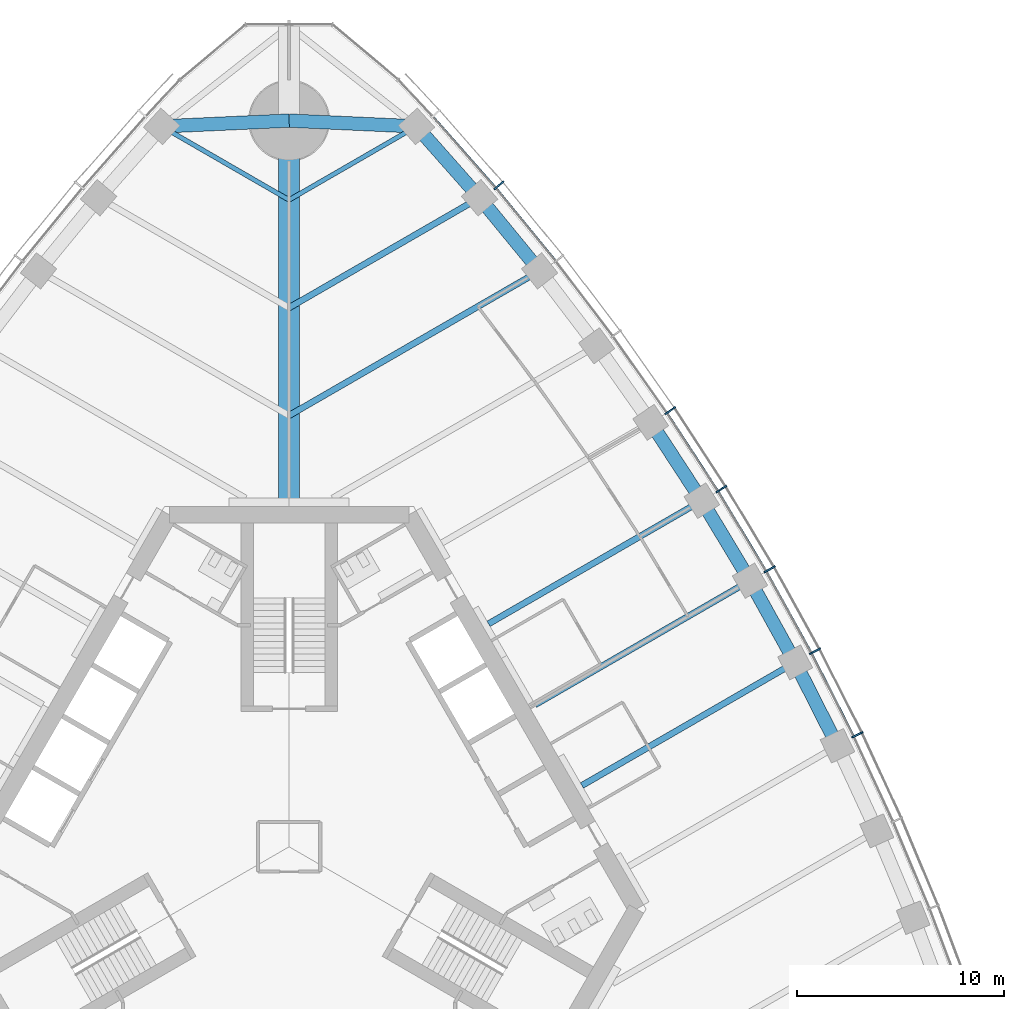
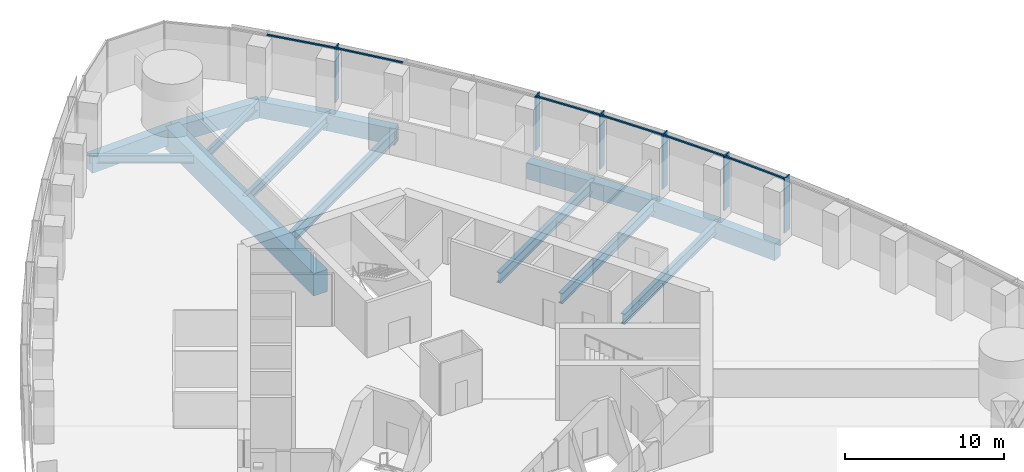
# One storey, part 6 of 19: 16 beams, 12 members, 1 element without a shape of its own.
"""IFC4 building model written with IfcOpenShell, lengths in metres."""

from ifc_helpers import new_model, si_unit, direction, frame, origin, origin_2d, place, context, subcontext, project, spatial, rectangle, i_section, extrude, material, material_profile, profile_set, type_object, element, aggregate, save


model = new_model("IFC4")

# Units and contexts
model_context = context("Model", 3, precision=1e-05, world=origin(), true_north=direction((0.0, 1.0)))
body_context = subcontext(model_context, "Body", "Model", "MODEL_VIEW")
ifc_project = project(units=[si_unit("LENGTHUNIT", "METRE"), si_unit("AREAUNIT", "SQUARE_METRE"), si_unit("VOLUMEUNIT", "CUBIC_METRE"), si_unit("PLANEANGLEUNIT", "RADIAN"), si_unit("MASSUNIT", "GRAM", prefix="KILO")], contexts=[model_context])

# Site, building, storey
site_placement = place(None, origin())
site = spatial("IfcSite", under=ifc_project, at=site_placement, CompositionType="ELEMENT")
building_placement = place(site_placement, origin())
building = spatial("IfcBuilding", under=site, at=building_placement, Name="Trefoil Bronze Tower", CompositionType="ELEMENT")
storey_placement = place(building_placement, frame((0.0, 0.0, 140.89990234375)))
storey = spatial("IfcBuildingStorey", under=building, at=storey_placement, Name="L32", CompositionType="ELEMENT", Elevation=140.89990234375)

# Curtain wall, members
ifc_material_1 = material(Name="Tinted solar-control glass", Category="glass")
curtain_wall_type = type_object("IfcCurtainWallType", Name="Bronze office curtain wall", PredefinedType="USERDEFINED", material=ifc_material_1)
curtain_wall_placement = place(storey_placement, origin())
curtain_wall = element("IfcCurtainWall", 1, at=curtain_wall_placement, inside=storey, type_object=curtain_wall_type, Name="CW-A L32 F2", ObjectType="CURTAIN WALL", PredefinedType="USERDEFINED")
ifc_material_2 = material(Name="Bronze-finish aluminium", Category="aluminium")
ifc_material_profile_1 = material_profile(ifc_material_2, rectangle(XDim=0.60009765625, YDim=0.080078125, at=origin_2d()), Name="CW-A mullion")
ifc_profile_set_1 = profile_set([ifc_material_profile_1], Name="Bronze-finish aluminium")
member_type_1 = type_object("IfcMemberType", Name="Bronze office curtain wall mullion", PredefinedType="MULLION", material=ifc_profile_set_1)
member_1_placement = place(storey_placement, frame((27.394775390625, 5.399169921875, 0.0), z_axis=(0.0, 0.0, 1.0), x_axis=(-0.899819602033, -0.436262173236, 0.0)))
member_1 = element("IfcMember", 2, at=member_1_placement, type_object=member_type_1, Name="CW-A L32 F2 mullion 6", PredefinedType="MULLION", context=body_context, shape_type="SweptSolid", body=[
    extrude(rectangle(XDim=0.60009765625, YDim=0.080078125, at=origin_2d()), origin(), (0.0, 0.0, 1.0), 4.18017578125),
])
member_2_placement = place(storey_placement, frame((25.350830078125, 9.427734375, 0.0), z_axis=(0.0, 0.0, 1.0), x_axis=(-0.883486441467, -0.468456729853, 0.0)))
member_2 = element("IfcMember", 3, at=member_2_placement, type_object=member_type_1, Name="CW-A L32 F2 mullion 7", PredefinedType="MULLION", context=body_context, shape_type="SweptSolid", body=[
    extrude(rectangle(XDim=0.60009765625, YDim=0.080078125, at=origin_2d()), origin(), (0.0, 0.0, 1.0), 4.18017578125),
])
member_3_placement = place(storey_placement, frame((23.166015625, 13.374755859375, 0.0), z_axis=(0.0, 0.0, 1.0), x_axis=(-0.866025403784, -0.5, 0.0)))
member_3 = element("IfcMember", 4, at=member_3_placement, type_object=member_type_1, Name="CW-A L32 F2 mullion 8", PredefinedType="MULLION", context=body_context, shape_type="SweptSolid", body=[
    extrude(rectangle(XDim=0.60009765625, YDim=0.080078125, at=origin_2d()), origin(), (0.0, 0.0, 1.0), 4.18017578125),
])
member_4_placement = place(storey_placement, frame((20.840087890625, 17.24072265625, 0.0), z_axis=(0.0, 0.0, 1.0), x_axis=(-0.84743864936, -0.530893337283, 0.0)))
member_4 = element("IfcMember", 5, at=member_4_placement, type_object=member_type_1, Name="CW-A L32 F2 mullion 9", PredefinedType="MULLION", context=body_context, shape_type="SweptSolid", body=[
    extrude(rectangle(XDim=0.60009765625, YDim=0.080078125, at=origin_2d()), origin(), (0.0, 0.0, 1.0), 4.18017578125),
])
member_5_placement = place(storey_placement, frame((18.373046875, 21.025146484375, 0.0), z_axis=(0.0, 0.0, 1.0), x_axis=(-0.827723925749, -0.561135547566, 0.0)))
member_5 = element("IfcMember", 6, at=member_5_placement, type_object=member_type_1, Name="CW-A L32 F2 mullion 10", PredefinedType="MULLION", context=body_context, shape_type="SweptSolid", body=[
    extrude(rectangle(XDim=0.60009765625, YDim=0.080078125, at=origin_2d()), origin(), (0.0, 0.0, 1.0), 4.18017578125),
])
member_6_placement = place(storey_placement, frame((10.11474609375, 31.8828125, 0.0), z_axis=(0.0, 0.0, 1.0), x_axis=(-0.761721651066, -0.647904411389, 0.0)))
member_6 = element("IfcMember", 7, at=member_6_placement, type_object=member_type_1, Name="CW-A L32 F2 mullion 13", PredefinedType="MULLION", context=body_context, shape_type="SweptSolid", body=[
    extrude(rectangle(XDim=0.60009765625, YDim=0.080078125, at=origin_2d()), origin(), (0.0, 0.0, 1.0), 4.18017578125),
])
ifc_material_3 = material(Name="Bronze-finish aluminium", Category="aluminium")
ifc_material_profile_2 = material_profile(ifc_material_3, rectangle(XDim=0.1201171875, YDim=0.10009765625, at=origin_2d()), Name="CW-A transom")
ifc_profile_set_2 = profile_set([ifc_material_profile_2], Name="Bronze-finish aluminium")
member_type_2 = type_object("IfcMemberType", Name="Bronze office curtain wall transom", PredefinedType="USERDEFINED", material=ifc_profile_set_2)
member_7_placement = place(storey_placement, frame((27.196044921875, 5.34912109375, 4.130126953125), z_axis=(-0.452478489814, 0.891775317138, 0.0), x_axis=(-0.891775317138, -0.452478489814, 0.0)))
member_7 = element("IfcMember", 8, at=member_7_placement, type_object=member_type_2, Name="CW-A L32 F2 transom 6", ObjectType="TRANSOM", PredefinedType="USERDEFINED", context=body_context, shape_type="SweptSolid", body=[
    extrude(rectangle(XDim=0.1201171875, YDim=0.10009765625, at=origin_2d()), origin(), (0.0, 0.0, 1.0), 4.426513671875),
])
member_8_placement = place(storey_placement, frame((25.154052734375, 9.37060546875, 4.130126953125), z_axis=(-0.484329470343, 0.874885686337, 0.0), x_axis=(-0.874885686337, -0.484329470343, 0.0)))
member_8 = element("IfcMember", 9, at=member_8_placement, type_object=member_type_2, Name="CW-A L32 F2 transom 7", ObjectType="TRANSOM", PredefinedType="USERDEFINED", context=body_context, shape_type="SweptSolid", body=[
    extrude(rectangle(XDim=0.1201171875, YDim=0.10009765625, at=origin_2d()), origin(), (0.0, 0.0, 1.0), 4.4208984375),
])
member_9_placement = place(storey_placement, frame((22.97119140625, 13.310546875, 4.130126953125), z_axis=(-0.515526794174, 0.856873458854, 0.0), x_axis=(-0.856873458854, -0.515526794174, 0.0)))
member_9 = element("IfcMember", 10, at=member_9_placement, type_object=member_type_2, Name="CW-A L32 F2 transom 8", ObjectType="TRANSOM", PredefinedType="USERDEFINED", context=body_context, shape_type="SweptSolid", body=[
    extrude(rectangle(XDim=0.1201171875, YDim=0.10009765625, at=origin_2d()), origin(), (0.0, 0.0, 1.0), 4.4208984375),
])
member_10_placement = place(storey_placement, frame((20.647705078125, 17.16943359375, 4.130126953125), z_axis=(-0.546079336226, 0.837733465099, 0.0), x_axis=(-0.837733465099, -0.546079336226, 0.0)))
member_10 = element("IfcMember", 11, at=member_10_placement, type_object=member_type_2, Name="CW-A L32 F2 transom 9", ObjectType="TRANSOM", PredefinedType="USERDEFINED", context=body_context, shape_type="SweptSolid", body=[
    extrude(rectangle(XDim=0.1201171875, YDim=0.10009765625, at=origin_2d()), origin(), (0.0, 0.0, 1.0), 4.426513671875),
])
member_11_placement = place(storey_placement, frame((12.82861328125, 28.255615234375, 4.130126953125), z_axis=(-0.633848872297, 0.773456919995, 0.0), x_axis=(-0.773456919995, -0.633848872297, 0.0)))
member_11 = element("IfcMember", 12, at=member_11_placement, type_object=member_type_2, Name="CW-A L32 F2 transom 12", ObjectType="TRANSOM", PredefinedType="USERDEFINED", context=body_context, shape_type="SweptSolid", body=[
    extrude(rectangle(XDim=0.1201171875, YDim=0.10009765625, at=origin_2d()), origin(), (0.0, 0.0, 1.0), 4.480224609375),
])
member_12_placement = place(storey_placement, frame((9.9345703125, 31.78466796875, 4.130126953125), z_axis=(-0.66173618877, 0.749736764786, 0.0), x_axis=(-0.749736764786, -0.66173618877, 0.0)))
member_12 = element("IfcMember", 13, at=member_12_placement, type_object=member_type_2, Name="CW-A L32 F2 transom 13", ObjectType="TRANSOM", PredefinedType="USERDEFINED", context=body_context, shape_type="SweptSolid", body=[
    extrude(rectangle(XDim=0.1201171875, YDim=0.10009765625, at=origin_2d()), origin(), (0.0, 0.0, 1.0), 4.510986328125),
])
aggregate(curtain_wall, [member_1, member_2, member_3, member_4, member_5, member_6, member_7, member_8, member_9, member_10, member_11, member_12])

# Beams
ifc_material_4 = material(Name="Concrete B80", Category="concrete")
ifc_material_profile_3 = material_profile(ifc_material_4, rectangle(XDim=1.0, YDim=1.699951171875, at=origin_2d()), Name="RC 1000x1700")
ifc_profile_set_3 = profile_set([ifc_material_profile_3], Name="Concrete B80")
beam_type_1 = type_object("IfcBeamType", Name="Corner girder RC 1000x1700", PredefinedType="BEAM", material=ifc_profile_set_3)
beam_1_placement = place(storey_placement, frame((0.0, 16.39990234375, -1.0498046875), z_axis=(0.0, 1.0, 0.0), x_axis=(-1.0, 0.0, 0.0)))
element("IfcBeam", 14, at=beam_1_placement, inside=storey, type_object=beam_type_1, Name="Corner girder K2 L32", PredefinedType="BEAM", context=body_context, shape_type="SweptSolid", body=[
    extrude(rectangle(XDim=1.0, YDim=1.699951171875, at=origin_2d()), origin(), (0.0, 0.0, 1.0), 18.60009765625),
])
ifc_material_5 = material(Name="Concrete B80", Category="concrete")
ifc_material_profile_4 = material_profile(ifc_material_5, rectangle(XDim=0.64990234375, YDim=1.25, at=origin_2d()), Name="RC 650x1250")
ifc_profile_set_4 = profile_set([ifc_material_profile_4], Name="Concrete B80")
beam_type_2 = type_object("IfcBeamType", Name="End spandrel beam RC 650x1250", PredefinedType="SPANDREL", material=ifc_profile_set_4)
for number, where, z_axis, x_axis, name in (
    (15, (6.13916015625, 34.72119140625, -0.824951171875), (-0.998970341464, 0.045368015985, 0.0), (-0.045368015985, -0.998970341464, 0.0), "Spandrel F2.14 L32"),
    (16, (0.0, 35.0, -0.824951171875), (-0.998970341464, -0.045368015985, 0.0), (0.045368015985, -0.998970341464, 0.0), "Spandrel F3.1 L32"),
):
    element("IfcBeam", number, at=place(storey_placement, frame(where, z_axis=z_axis, x_axis=x_axis)), inside=storey, type_object=beam_type_2, Name=name, PredefinedType="SPANDREL", context=body_context, shape_type="SweptSolid", body=[
        extrude(rectangle(XDim=0.64990234375, YDim=1.25, at=origin_2d()), origin(), (0.0, 0.0, 1.0), 6.1455078125),
    ])
ifc_material_6 = material(Name="Steel C355", Category="steel")
ifc_material_profile_5 = material_profile(ifc_material_6, i_section(OverallWidth=0.300048828125, OverallDepth=0.699951171875, WebThickness=0.01708984375, FlangeThickness=0.031982421875, FilletRadius=0.027099609375, at=origin_2d()), Name="HEB 700")
ifc_profile_set_5 = profile_set([ifc_material_profile_5], Name="Steel C355")
beam_type_3 = type_object("IfcBeamType", Name="Floor beam HEB 700", PredefinedType="BEAM", material=ifc_profile_set_5)
beam_2_placement = place(storey_placement, frame((9.181884765625, 31.281982421875, -0.5498046875), z_axis=(-0.866021079084, -0.500007490527, 0.0), x_axis=(0.500007490527, -0.866021079084, 0.0)))
element("IfcBeam", 17, at=beam_2_placement, inside=storey, type_object=beam_type_3, Name="Floor beam F2/+5 L32", PredefinedType="BEAM", context=body_context, shape_type="SweptSolid", body=[
    extrude(i_section(OverallWidth=0.300048828125, OverallDepth=0.699951171875, WebThickness=0.01708984375, FlangeThickness=0.031982421875, FilletRadius=0.027099609375, at=origin_2d()), origin(), (0.0, 0.0, 1.0), 10.602294921875),
])
ifc_material_7 = material(Name="Steel C355", Category="steel")
ifc_material_profile_6 = material_profile(ifc_material_7, i_section(OverallWidth=0.300048828125, OverallDepth=0.800048828125, WebThickness=0.017578125, FlangeThickness=0.032958984375, FilletRadius=0.030029296875, at=origin_2d()), Name="HEB 800")
ifc_profile_set_6 = profile_set([ifc_material_profile_6], Name="Steel C355")
beam_type_4 = type_object("IfcBeamType", Name="Floor beam HEB 800", PredefinedType="BEAM", material=ifc_profile_set_6)
beam_3_placement = place(storey_placement, frame((24.392578125, 8.886962890625, -0.599853515625), z_axis=(-0.866024236736, -0.500002021381, 0.0), x_axis=(0.500002021381, -0.866024236736, 0.0)))
element("IfcBeam", 18, at=beam_3_placement, inside=storey, type_object=beam_type_4, Name="Floor beam F2/-1 L32", PredefinedType="BEAM", context=body_context, shape_type="SweptSolid", body=[
    extrude(i_section(OverallWidth=0.300048828125, OverallDepth=0.800048828125, WebThickness=0.017578125, FlangeThickness=0.032958984375, FilletRadius=0.030029296875, at=origin_2d()), origin(), (0.0, 0.0, 1.0), 11.8681640625),
])
beam_4_placement = place(storey_placement, frame((22.21337890625, 12.824951171875, -0.599853515625), z_axis=(-0.866028062731, -0.499995394541, 0.0), x_axis=(0.499995394541, -0.866028062731, 0.0)))
element("IfcBeam", 19, at=beam_4_placement, inside=storey, type_object=beam_type_4, Name="Floor beam F2/+0 L32", PredefinedType="BEAM", context=body_context, shape_type="SweptSolid", body=[
    extrude(i_section(OverallWidth=0.300048828125, OverallDepth=0.800048828125, WebThickness=0.017578125, FlangeThickness=0.032958984375, FilletRadius=0.030029296875, at=origin_2d()), origin(), (0.0, 0.0, 1.0), 11.94970703125),
])
beam_5_placement = place(storey_placement, frame((19.892578125, 16.68115234375, -0.599853515625), z_axis=(-0.866024236736, -0.500002021381, 0.0), x_axis=(0.500002021381, -0.866024236736, 0.0)))
element("IfcBeam", 20, at=beam_5_placement, inside=storey, type_object=beam_type_4, Name="Floor beam F2/+1 L32", PredefinedType="BEAM", context=body_context, shape_type="SweptSolid", body=[
    extrude(i_section(OverallWidth=0.300048828125, OverallDepth=0.800048828125, WebThickness=0.017578125, FlangeThickness=0.032958984375, FilletRadius=0.030029296875, at=origin_2d()), origin(), (0.0, 0.0, 1.0), 11.8681640625),
])
ifc_material_8 = material(Name="Steel C355", Category="steel")
ifc_material_profile_7 = material_profile(ifc_material_8, i_section(OverallWidth=0.300048828125, OverallDepth=0.89990234375, WebThickness=0.0185546875, FlangeThickness=0.034912109375, FilletRadius=0.030029296875, at=origin_2d()), Name="HEB 900")
ifc_profile_set_7 = profile_set([ifc_material_profile_7], Name="Steel C355")
beam_type_5 = type_object("IfcBeamType", Name="Floor beam HEB 900", PredefinedType="BEAM", material=ifc_profile_set_7)
beam_6_placement = place(storey_placement, frame((12.07666015625, 27.757080078125, -0.64990234375), z_axis=(-0.866026983775, -0.499997263366, 0.0), x_axis=(0.499997263366, -0.866026983775, 0.0)))
element("IfcBeam", 21, at=beam_6_placement, inside=storey, type_object=beam_type_5, Name="Floor beam F2/+4 L32", PredefinedType="BEAM", context=body_context, shape_type="SweptSolid", body=[
    extrude(i_section(OverallWidth=0.300048828125, OverallDepth=0.89990234375, WebThickness=0.0185546875, FlangeThickness=0.034912109375, FilletRadius=0.030029296875, at=origin_2d()), origin(), (0.0, 0.0, 1.0), 13.94482421875),
])
ifc_material_9 = material(Name="Steel C355", Category="steel")
ifc_material_profile_8 = material_profile(ifc_material_9, i_section(OverallWidth=0.219970703125, OverallDepth=0.60009765625, WebThickness=0.011962890625, FlangeThickness=0.01904296875, FilletRadius=0.02392578125, at=origin_2d()), Name="IPE 600")
ifc_profile_set_8 = profile_set([ifc_material_profile_8], Name="Steel C355")
beam_type_6 = type_object("IfcBeamType", Name="Floor beam IPE 600", PredefinedType="BEAM", material=ifc_profile_set_8)
for number, where, z_axis, x_axis, name in (
    (22, (6.13916015625, 34.72119140625, -0.5), (-0.866041060244, -0.499972881236, 0.0), (0.499972881236, -0.866041060244, 0.0), "Floor beam F2/+6 L32"),
    (23, (-6.13916015625, 34.72119140625, -0.5), (0.866041060244, -0.499972881236, 0.0), (0.499972881236, 0.866041060244, 0.0), "Floor beam F3/-6 L32"),
):
    element("IfcBeam", number, at=place(storey_placement, frame(where, z_axis=z_axis, x_axis=x_axis)), inside=storey, type_object=beam_type_6, Name=name, PredefinedType="BEAM", context=body_context, shape_type="SweptSolid", body=[
        extrude(i_section(OverallWidth=0.219970703125, OverallDepth=0.60009765625, WebThickness=0.011962890625, FlangeThickness=0.01904296875, FilletRadius=0.02392578125, at=origin_2d()), origin(), (0.0, 0.0, 1.0), 7.0888671875),
    ])
ifc_material_10 = material(Name="Concrete B80", Category="concrete")
ifc_material_profile_9 = material_profile(ifc_material_10, rectangle(XDim=0.64990234375, YDim=1.25, at=origin_2d()), Name="RC 650x1250")
ifc_profile_set_9 = profile_set([ifc_material_profile_9], Name="Concrete B80")
beam_type_7 = type_object("IfcBeamType", Name="Spandrel beam RC 650x1250", PredefinedType="SPANDREL", material=ifc_profile_set_9)
beam_7_placement = place(storey_placement, frame((26.43017578125, 4.8671875, -0.824951171875), z_axis=(-0.452125717735, 0.891954222683, 0.0), x_axis=(-0.891954222683, -0.452125717735, 0.0)))
element("IfcBeam", 24, at=beam_7_placement, inside=storey, type_object=beam_type_7, Name="Spandrel F2.6 L32", PredefinedType="SPANDREL", context=body_context, shape_type="SweptSolid", body=[
    extrude(rectangle(XDim=0.64990234375, YDim=1.25, at=origin_2d()), origin(), (0.0, 0.0, 1.0), 4.506591796875),
])
for number, where, z_axis, x_axis, name in (
    (25, (24.392578125, 8.886962890625, -0.824951171875), (-0.484186866546, 0.874964615436, 0.0), (-0.874964615436, -0.484186866546, 0.0), "Spandrel F2.7 L32"),
    (26, (22.21337890625, 12.824951171875, -0.824951171875), (-0.515651979972, 0.856798129988, 0.0), (-0.856798129988, -0.515651979972, 0.0), "Spandrel F2.8 L32"),
):
    element("IfcBeam", number, at=place(storey_placement, frame(where, z_axis=z_axis, x_axis=x_axis)), inside=storey, type_object=beam_type_7, Name=name, PredefinedType="SPANDREL", context=body_context, shape_type="SweptSolid", body=[
        extrude(rectangle(XDim=0.64990234375, YDim=1.25, at=origin_2d()), origin(), (0.0, 0.0, 1.0), 4.500732421875),
    ])
beam_8_placement = place(storey_placement, frame((19.892578125, 16.68115234375, -0.824951171875), z_axis=(-0.546396670296, 0.83752652417, 0.0), x_axis=(-0.83752652417, -0.546396670296, 0.0)))
element("IfcBeam", 27, at=beam_8_placement, inside=storey, type_object=beam_type_7, Name="Spandrel F2.9 L32", PredefinedType="SPANDREL", context=body_context, shape_type="SweptSolid", body=[
    extrude(rectangle(XDim=0.64990234375, YDim=1.25, at=origin_2d()), origin(), (0.0, 0.0, 1.0), 4.506591796875),
])
beam_9_placement = place(storey_placement, frame((12.07666015625, 27.757080078125, -0.824951171875), z_axis=(-0.634650386838, 0.772799383079, 0.0), x_axis=(-0.772799383079, -0.634650386838, 0.0)))
element("IfcBeam", 28, at=beam_9_placement, inside=storey, type_object=beam_type_7, Name="Spandrel F2.12 L32", PredefinedType="SPANDREL", context=body_context, shape_type="SweptSolid", body=[
    extrude(rectangle(XDim=0.64990234375, YDim=1.25, at=origin_2d()), origin(), (0.0, 0.0, 1.0), 4.561279296875),
])
beam_10_placement = place(storey_placement, frame((9.181884765625, 31.281982421875, -0.824951171875), z_axis=(-0.662616326239, 0.748959013699, 0.0), x_axis=(-0.748959013699, -0.662616326239, 0.0)))
element("IfcBeam", 29, at=beam_10_placement, inside=storey, type_object=beam_type_7, Name="Spandrel F2.13 L32", PredefinedType="SPANDREL", context=body_context, shape_type="SweptSolid", body=[
    extrude(rectangle(XDim=0.64990234375, YDim=1.25, at=origin_2d()), origin(), (0.0, 0.0, 1.0), 4.592041015625),
])

save(model, "model.ifc")
